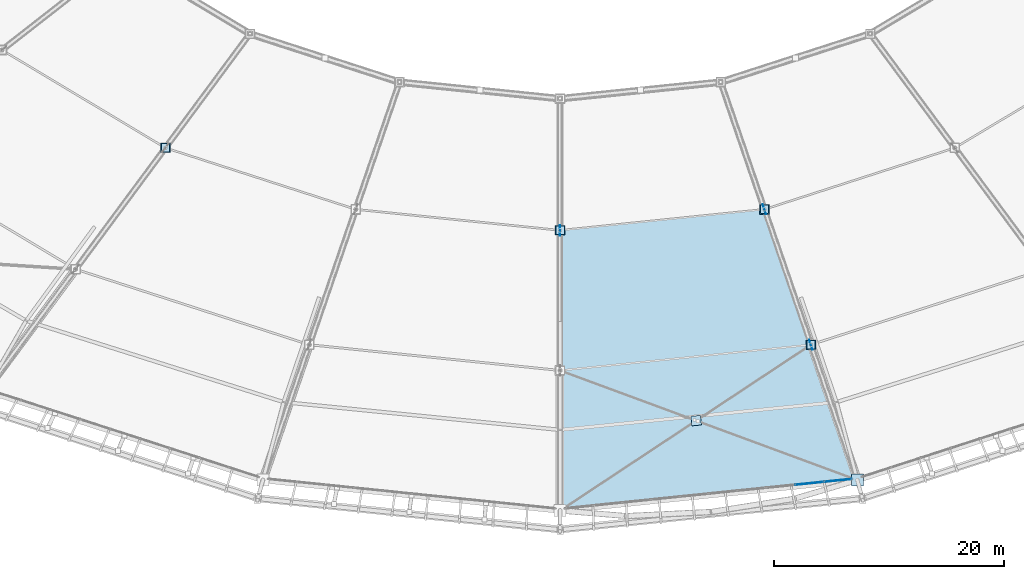
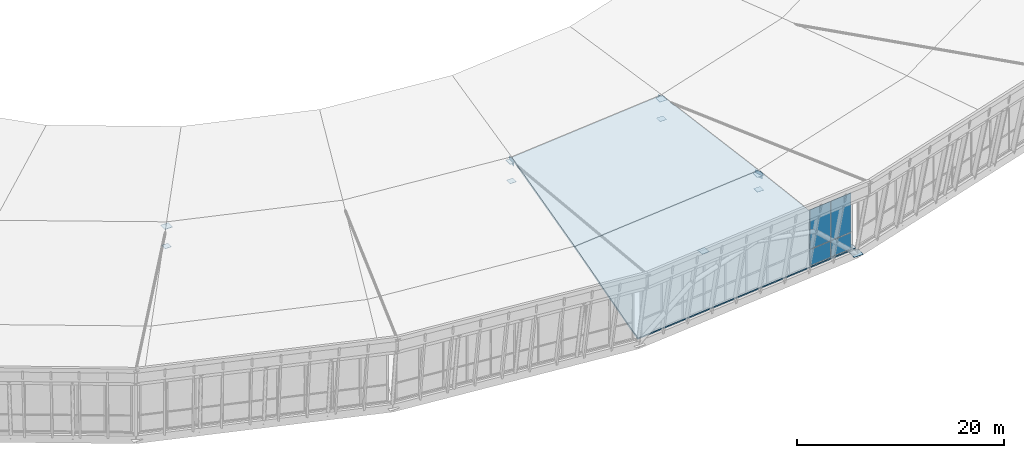
# One storey, part 83 of 115: 17 plates, 2 slabs, 2 elements without a shape of their own.
"""IFC4 building model written with IfcOpenShell, lengths in metres."""

from ifc_helpers import new_model, si_unit, direction, frame, origin, origin_2d, place, context, subcontext, project, spatial, polyline, rectangle, outline, extrude, material, layer, layer_set, type_object, element, aggregate, save


model = new_model("IFC4")

# Units and contexts
model_context = context("Model", 3, precision=1e-05, world=origin(), true_north=direction((0.0, 1.0)))
body_context = subcontext(model_context, "Body", "Model", "MODEL_VIEW")
ifc_project = project(units=[si_unit("LENGTHUNIT", "METRE"), si_unit("AREAUNIT", "SQUARE_METRE"), si_unit("VOLUMEUNIT", "CUBIC_METRE"), si_unit("PLANEANGLEUNIT", "RADIAN"), si_unit("MASSUNIT", "GRAM", prefix="KILO")], contexts=[model_context])

# Site, building, storey
site_placement = place(None, origin())
site = spatial("IfcSite", under=ifc_project, at=site_placement, CompositionType="ELEMENT")
building_placement = place(site_placement, origin())
building = spatial("IfcBuilding", under=site, at=building_placement, Name="Zlatoyarsky Gate Stadium", CompositionType="ELEMENT")
storey_placement = place(building_placement, frame((0.0, 0.0, 31.800048828125)))
storey = spatial("IfcBuildingStorey", under=building, at=storey_placement, Name="RF", CompositionType="ELEMENT", Elevation=31.800048828125)

# Curtain wall, plates
ifc_material_1 = material(Name="Thermally broken anodised aluminium curtain wall", Category="aluminium")
curtain_wall_type = type_object("IfcCurtainWallType", Name="MONUMENTAL ARCHED GATE GLAZING UPPER", PredefinedType="USERDEFINED", material=ifc_material_1)
curtain_wall_placement = place(storey_placement, origin())
curtain_wall = element("IfcCurtainWall", 1, at=curtain_wall_placement, inside=storey, type_object=curtain_wall_type, Name="Curtain wall CW-RF-18", ObjectType="ARCHED GATE GLAZING", PredefinedType="USERDEFINED")
ifc_material_2 = material(Name="Triple-glazed argon low-e architectural glass", Category="glass")
ifc_layer_1 = layer(ifc_material_2, 0.0458984375)
ifc_layer_set_1 = layer_set([ifc_layer_1], Name="Triple-glazed argon low-e architectural glass")
plate_type_1 = type_object("IfcPlateType", Name="ACOUSTIC LAMINATED GATE GLAZING PANEL 46", PredefinedType="CURTAIN_PANEL", material=ifc_layer_set_1)
plate_1_placement = place(storey_placement, frame((132.6962890625, 4.33984375, 0.074951171875), z_axis=(0.0, 0.0, 1.0), x_axis=(0.994771556649, 0.102125168703, 0.0)))
plate_1 = element("IfcPlate", 2, at=plate_1_placement, type_object=plate_type_1, Name="CW-AG2 panel 9.1", PredefinedType="CURTAIN_PANEL", context=body_context, shape_type="SweptSolid", body=[
    extrude(rectangle(XDim=2.44384765625, YDim=0.0458984375, at=origin_2d()), origin(), (0.0, 0.0, 1.0), 2.03759765625),
])
plate_2_placement = place(storey_placement, frame((132.6962890625, 4.33984375, 2.1875), z_axis=(0.0, 0.0, 1.0), x_axis=(0.994771556649, 0.102125168703, 0.0)))
plate_2 = element("IfcPlate", 3, at=plate_2_placement, type_object=plate_type_1, Name="CW-AG2 panel 9.2", PredefinedType="CURTAIN_PANEL", context=body_context, shape_type="SweptSolid", body=[
    extrude(rectangle(XDim=2.44384765625, YDim=0.0458984375, at=origin_2d()), origin(), (0.0, 0.0, 1.0), 4.637451171875),
])
plate_3_placement = place(storey_placement, frame((135.183349609375, 4.594970703125, 0.074951171875), z_axis=(0.0, 0.0, 1.0), x_axis=(0.994771556649, 0.102125168703, 0.0)))
plate_3 = element("IfcPlate", 4, at=plate_3_placement, type_object=plate_type_1, Name="CW-AG2 panel 10.1", PredefinedType="CURTAIN_PANEL", context=body_context, shape_type="SweptSolid", body=[
    extrude(rectangle(XDim=2.40625, YDim=0.0458984375, at=origin_2d()), origin(), (0.0, 0.0, 1.0), 2.03759765625),
])
plate_4_placement = place(storey_placement, frame((135.183349609375, 4.594970703125, 2.1875), z_axis=(0.0, 0.0, 1.0), x_axis=(0.994771556649, 0.102125168703, 0.0)))
plate_4 = element("IfcPlate", 5, at=plate_4_placement, type_object=plate_type_1, Name="CW-AG2 panel 10.2", PredefinedType="CURTAIN_PANEL", context=body_context, shape_type="SweptSolid", body=[
    extrude(rectangle(XDim=2.40625, YDim=0.0458984375, at=origin_2d()), origin(), (0.0, 0.0, 1.0), 4.637451171875),
])
aggregate(curtain_wall, [plate_1, plate_2, plate_3, plate_4])

# Roof, slabs
ifc_material_3 = material(Name="Standing-seam aluminium-zinc roofing with mineral wool insulation", Category="aluminium")
ifc_layer_2 = layer(ifc_material_3, 0.080078125)
ifc_layer_set_2 = layer_set([ifc_layer_2], Name="Standing-seam aluminium-zinc roofing with mineral wool insulation")
roof_type = type_object("IfcRoofType", Name="STADIUM BARREL VAULT ROOF ASSEMBLY", PredefinedType="BARREL_ROOF", material=ifc_layer_set_2)
roof_placement = place(storey_placement, origin())
roof = element("IfcRoof", 6, at=roof_placement, inside=storey, type_object=roof_type, Name="Stadium barrel arch roof sector 7", PredefinedType="BARREL_ROOF")
ifc_material_4 = material(Name="Concrete C40/50", Category="concrete")
ifc_layer_3 = layer(ifc_material_4, 0.199951171875)
ifc_layer_set_3 = layer_set([ifc_layer_3], Name="Concrete C40/50")
slab_type = type_object("IfcSlabType", Name="COMPOSITE STADIUM ROOF DECK SLAB 200", PredefinedType="ROOF", material=ifc_layer_set_3)
slab_1_placement = place(storey_placement, frame((111.0, 1.972412109375, 0.199951171875), z_axis=(0.027549713933, -0.26827762125, 0.962947626405), x_axis=(0.994768228243, 0.102157584529, 1.052656e-06)))
slab_1 = element("IfcSlab", 7, at=slab_1_placement, type_object=slab_type, Name="Stadium arched roof deck sector 18 bay 1", PredefinedType="ROOF", context=body_context, shape_type="SweptSolid", body=[
    extrude(outline(polyline([(0.0, 0.0), (26.02531947140747, 4.440892098500626e-16), (23.201627110592522, 12.606686405062462), (1.2466952342657893, 12.606873682931376), (0.0, 0.0)])), origin(), (0.0, 0.0, -1.0), 0.199951171875),
])
slab_2_placement = place(storey_placement, frame((111.0, 14.176025390625, 3.599853515625), z_axis=(0.025658712336, -0.249859215045, 0.967942148653), x_axis=(0.994769061755, 0.102149467801, -1.557277e-06)))
slab_2 = element("IfcSlab", 8, at=slab_2_placement, type_object=slab_type, Name="Stadium arched roof deck sector 18 bay 2", PredefinedType="ROOF", context=body_context, shape_type="SweptSolid", body=[
    extrude(outline(polyline([(0.0, 0.0), (21.954931877115506, 0.0), (19.13115691887676, 12.541846686090654), (1.2465627574373217, 12.541599680499349), (0.0, 0.0)])), origin(), (0.0, 0.0, -1.0), 0.199951171875),
])
aggregate(roof, [slab_1, slab_2])

# Plates
ifc_material_5 = material(Name="Steel S355", Category="steel")
ifc_layer_4 = layer(ifc_material_5, 0.02392578125)
ifc_layer_set_4 = layer_set([ifc_layer_4], Name="Steel S355")
plate_type_2 = type_object("IfcPlateType", Name="STEEL COMPRESSION RING NODE CAP SHEET 24", PredefinedType="SHEET", material=ifc_layer_set_4)
plate_5_placement = place(storey_placement, frame((136.888916015625, 4.631103515625, -0.4619140625), z_axis=(0.0, 0.0, 1.0), x_axis=(1.0, 0.0, 0.0)))
element("IfcPlate", 9, at=plate_5_placement, inside=storey, type_object=plate_type_2, Name="Node closure plate ND-CR1 NCAP-CR-19", PredefinedType="SHEET", context=body_context, shape_type="SweptSolid", body=[
    extrude(rectangle(XDim=1.050048828125, YDim=1.050048828125, at=origin_2d()), origin(), (0.0, 0.0, 1.0), 0.02392578125),
])
ifc_layer_5 = layer(ifc_material_5, 0.02392578125)
ifc_layer_set_5 = layer_set([ifc_layer_5], Name="Steel S355")
plate_type_3 = type_object("IfcPlateType", Name="STEEL HOLLOW CHORD SPLICE SHEET 24", PredefinedType="SHEET", material=ifc_layer_set_5)
plate_6_placement = place(storey_placement, frame((76.630615234375, 33.563232421875, 6.2880859375), z_axis=(0.0, 0.0, 1.0), x_axis=(1.0, 0.0, 0.0)))
element("IfcPlate", 10, at=plate_6_placement, inside=storey, type_object=plate_type_3, Name="Node closure plate ND-SP1 NCAP-TCH-16-2", PredefinedType="SHEET", context=body_context, shape_type="SweptSolid", body=[
    extrude(rectangle(XDim=0.85009765625, YDim=0.85009765625, at=origin_2d()), origin(), (0.0, 0.0, 1.0), 0.02392578125),
])
plate_7_placement = place(storey_placement, frame((76.630615234375, 33.563232421875, 3.93798828125), z_axis=(0.0, 0.0, 1.0), x_axis=(1.0, 0.0, 0.0)))
element("IfcPlate", 11, at=plate_7_placement, inside=storey, type_object=plate_type_3, Name="Node closure plate ND-SP1 NCAP-BCH-16-2", PredefinedType="SHEET", context=body_context, shape_type="SweptSolid", body=[
    extrude(rectangle(XDim=0.719970703125, YDim=0.719970703125, at=origin_2d()), origin(), (0.0, 0.0, 1.0), 0.02392578125),
])
plate_8_placement = place(storey_placement, frame((111.0, 26.37939453125, 6.2880859375), z_axis=(0.0, 0.0, 1.0), x_axis=(1.0, 0.0, 0.0)))
element("IfcPlate", 12, at=plate_8_placement, inside=storey, type_object=plate_type_3, Name="Node closure plate ND-SP1 NCAP-TCH-18-2", PredefinedType="SHEET", context=body_context, shape_type="SweptSolid", body=[
    extrude(rectangle(XDim=0.85009765625, YDim=0.85009765625, at=origin_2d()), origin(), (0.0, 0.0, 1.0), 0.02392578125),
])
plate_9_placement = place(storey_placement, frame((111.0, 26.37939453125, 3.93798828125), z_axis=(0.0, 0.0, 1.0), x_axis=(1.0, 0.0, 0.0)))
element("IfcPlate", 13, at=plate_9_placement, inside=storey, type_object=plate_type_3, Name="Node closure plate ND-SP1 NCAP-BCH-18-2", PredefinedType="SHEET", context=body_context, shape_type="SweptSolid", body=[
    extrude(rectangle(XDim=0.719970703125, YDim=0.719970703125, at=origin_2d()), origin(), (0.0, 0.0, 1.0), 0.02392578125),
])
plate_10_placement = place(storey_placement, frame((132.840087890625, 16.418701171875, 3.137939453125), z_axis=(0.0, 0.0, 1.0), x_axis=(1.0, 0.0, 0.0)))
element("IfcPlate", 14, at=plate_10_placement, inside=storey, type_object=plate_type_3, Name="Node closure plate ND-SP1 NCAP-TCH-19-1", PredefinedType="SHEET", context=body_context, shape_type="SweptSolid", body=[
    extrude(rectangle(XDim=0.85009765625, YDim=0.85009765625, at=origin_2d()), origin(), (0.0, 0.0, 1.0), 0.02392578125),
])
plate_11_placement = place(storey_placement, frame((132.840087890625, 16.418701171875, 1.337890625), z_axis=(0.0, 0.0, 1.0), x_axis=(1.0, 0.0, 0.0)))
element("IfcPlate", 15, at=plate_11_placement, inside=storey, type_object=plate_type_3, Name="Node closure plate ND-SP1 NCAP-BCH-19-1", PredefinedType="SHEET", context=body_context, shape_type="SweptSolid", body=[
    extrude(rectangle(XDim=0.719970703125, YDim=0.719970703125, at=origin_2d()), origin(), (0.0, 0.0, 1.0), 0.02392578125),
])
plate_12_placement = place(storey_placement, frame((128.791015625, 28.20654296875, 6.2880859375), z_axis=(0.0, 0.0, 1.0), x_axis=(1.0, 0.0, 0.0)))
element("IfcPlate", 16, at=plate_12_placement, inside=storey, type_object=plate_type_3, Name="Node closure plate ND-SP1 NCAP-TCH-19-2", PredefinedType="SHEET", context=body_context, shape_type="SweptSolid", body=[
    extrude(rectangle(XDim=0.85009765625, YDim=0.85009765625, at=origin_2d()), origin(), (0.0, 0.0, 1.0), 0.02392578125),
])
plate_13_placement = place(storey_placement, frame((128.791015625, 28.20654296875, 3.93798828125), z_axis=(0.0, 0.0, 1.0), x_axis=(1.0, 0.0, 0.0)))
element("IfcPlate", 17, at=plate_13_placement, inside=storey, type_object=plate_type_3, Name="Node closure plate ND-SP1 NCAP-BCH-19-2", PredefinedType="SHEET", context=body_context, shape_type="SweptSolid", body=[
    extrude(rectangle(XDim=0.719970703125, YDim=0.719970703125, at=origin_2d()), origin(), (0.0, 0.0, 1.0), 0.02392578125),
])
ifc_layer_6 = layer(ifc_material_5, 0.031982421875)
ifc_layer_set_6 = layer_set([ifc_layer_6], Name="Steel S355")
plate_type_4 = type_object("IfcPlateType", Name="STEEL RADIAL TRUSS GUSSET PLATE 32", PredefinedType="USERDEFINED", material=ifc_layer_set_6)
for number, where, z_axis, x_axis, name in (
    (18, (111.0, 26.37939453125, 5.93994140625), (0.0, 0.0, 1.0), (0.0, 1.0, 0.0), "Radial truss gusset plate ND-WB1 18.2"),
    (19, (132.840087890625, 16.418701171875, 2.7900390625), (0.0, 0.0, 1.0), (-0.324866508477, 0.945759880556, 0.0), "Radial truss gusset plate ND-WB1 19.1"),
    (20, (128.791015625, 28.20654296875, 5.93994140625), (0.0, 0.0, 1.0), (-0.324866508477, 0.945759880556, 0.0), "Radial truss gusset plate ND-WB1 19.2"),
):
    element("IfcPlate", number, at=place(storey_placement, frame(where, z_axis=z_axis, x_axis=x_axis)), inside=storey, type_object=plate_type_4, Name=name, ObjectType="GUSSET PLATE", PredefinedType="USERDEFINED", context=body_context, shape_type="SweptSolid", body=[
        extrude(rectangle(XDim=0.919921875, YDim=0.031982421875, at=origin_2d()), origin(), (0.0, 0.0, 1.0), 0.719970703125),
    ])
ifc_layer_7 = layer(ifc_material_5, 0.02392578125)
ifc_layer_set_7 = layer_set([ifc_layer_7], Name="Steel S355")
plate_type_5 = type_object("IfcPlateType", Name="STEEL X BRACE CROSSING NODE PLATE 24", PredefinedType="USERDEFINED", material=ifc_layer_set_7)
plate_14_placement = place(storey_placement, frame((122.846435546875, 9.808349609375, 1.582275390625), z_axis=(0.0, 0.0, 1.0), x_axis=(0.994774337437, 0.102098078224, 0.0)))
element("IfcPlate", 21, at=plate_14_placement, inside=storey, type_object=plate_type_5, Name="Roof wind X-brace crossing gusset plate ND-XB1 18", ObjectType="GUSSET PLATE", PredefinedType="USERDEFINED", context=body_context, shape_type="SweptSolid", body=[
    extrude(rectangle(XDim=0.840087890625, YDim=0.840087890625, at=origin_2d()), origin(), (0.0, 0.0, 1.0), 0.02392578125),
])

save(model, "model.ifc")
